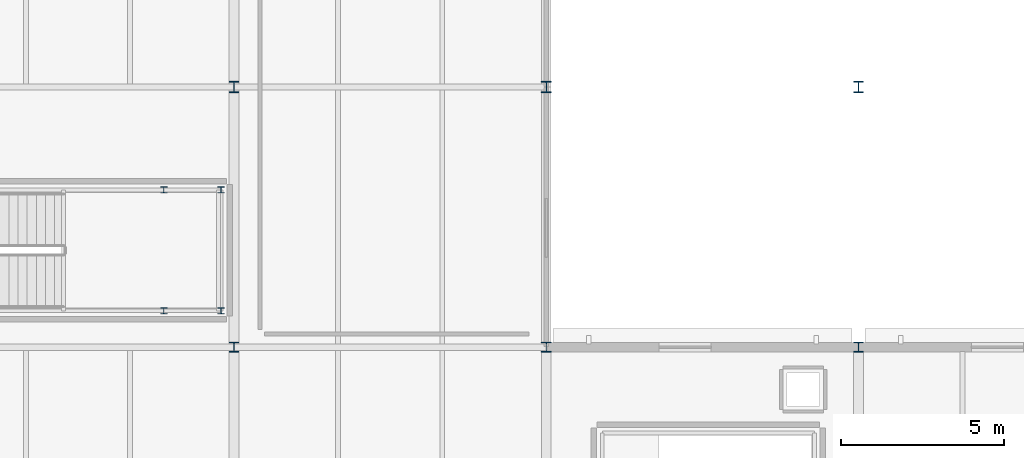
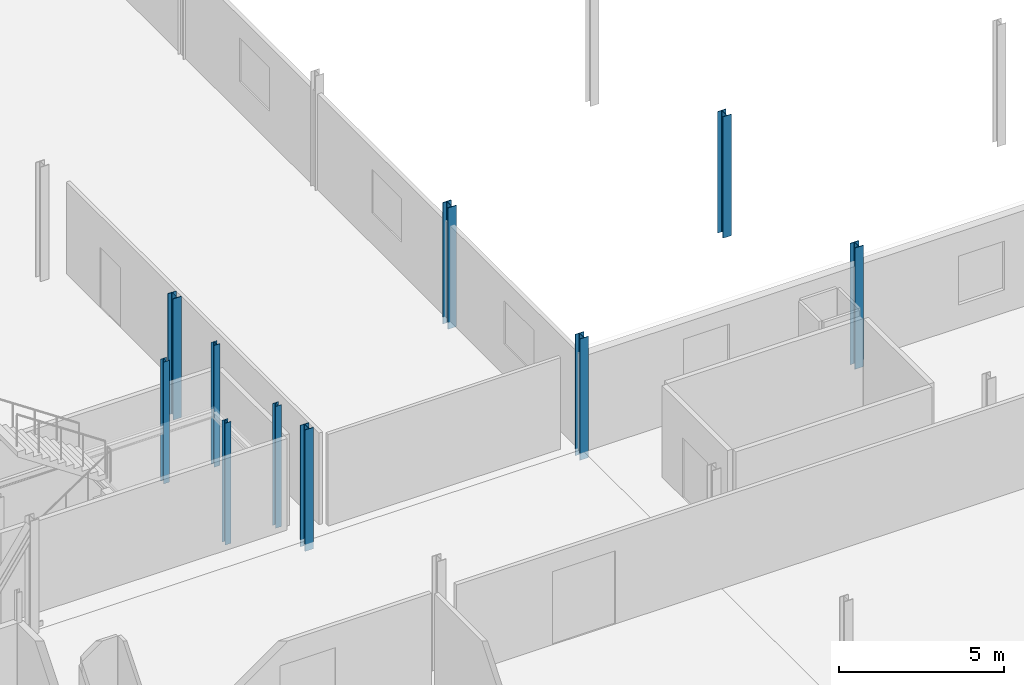
# One storey, part 6 of 73: 10 columns.
"""IFC4 building model written with IfcOpenShell, lengths in metres."""

from ifc_helpers import new_model, si_unit, direction, frame, origin, origin_2d, place, context, subcontext, project, spatial, i_section, extrude, material, material_profile, profile_set, type_object, element, save


model = new_model("IFC4")

# Units and contexts
model_context = context("Model", 3, precision=1e-05, world=origin(), true_north=direction((0.0, 1.0)))
body_context = subcontext(model_context, "Body", "Model", "MODEL_VIEW")
ifc_project = project(units=[si_unit("LENGTHUNIT", "METRE"), si_unit("AREAUNIT", "SQUARE_METRE"), si_unit("VOLUMEUNIT", "CUBIC_METRE"), si_unit("PLANEANGLEUNIT", "RADIAN"), si_unit("MASSUNIT", "GRAM", prefix="KILO")], contexts=[model_context])

# Site, building, storey
site_placement = place(None, origin())
site = spatial("IfcSite", under=ifc_project, at=site_placement, CompositionType="ELEMENT")
building_placement = place(site_placement, origin())
building = spatial("IfcBuilding", under=site, at=building_placement, Name="Alderhovde Museum", CompositionType="ELEMENT")
storey_placement = place(building_placement, frame((0.0, 0.0, 12.89990234375)))
storey = spatial("IfcBuildingStorey", under=building, at=storey_placement, Name="L03", CompositionType="ELEMENT", Elevation=12.89990234375)

# Columns
ifc_material_1 = material(Name="Steel S355J2", Category="steel")
ifc_material_profile_1 = material_profile(ifc_material_1, i_section(OverallWidth=0.199951171875, OverallDepth=0.18994140625, WebThickness=0.006591796875, FlangeThickness=0.010009765625, FilletRadius=0.01806640625, at=origin_2d()), Name="HEA 200")
ifc_profile_set_1 = profile_set([ifc_material_profile_1], Name="Steel S355J2")
column_type_1 = type_object("IfcColumnType", Name="COL-HEA200", PredefinedType="COLUMN", material=ifc_profile_set_1)
for number, where, z_axis, x_axis, name in (
    (1, (38.0, 81.1201171875, 0.0), (0.0, 0.0, 1.0), (1.0, 0.0, 0.0), "L03 Stair ST2 Shaft Column 2"),
    (2, (38.0, 84.840087890625, 0.0), (0.0, 0.0, 1.0), (1.0, 0.0, 0.0), "L03 Stair ST2 Shaft Column 3"),
    (3, (36.239990234375, 81.1201171875, 0.0), (0.0, 0.0, 1.0), (1.0, 0.0, 0.0), "L03 Stair ST2 Shaft Column 5"),
    (4, (36.239990234375, 84.840087890625, 0.0), (0.0, 0.0, 1.0), (1.0, 0.0, 0.0), "L03 Stair ST2 Shaft Column 6"),
):
    element("IfcColumn", number, at=place(storey_placement, frame(where, z_axis=z_axis, x_axis=x_axis)), inside=storey, type_object=column_type_1, Name=name, PredefinedType="COLUMN", context=body_context, shape_type="SweptSolid", body=[
        extrude(i_section(OverallWidth=0.199951171875, OverallDepth=0.18994140625, WebThickness=0.006591796875, FlangeThickness=0.010009765625, FilletRadius=0.01806640625, at=origin_2d()), origin(), (0.0, 0.0, 1.0), 4.5),
    ])
ifc_material_2 = material(Name="Steel S355J2", Category="steel")
ifc_material_profile_2 = material_profile(ifc_material_2, i_section(OverallWidth=0.300048828125, OverallDepth=0.300048828125, WebThickness=0.010986328125, FlangeThickness=0.01904296875, FilletRadius=0.027099609375, at=origin_2d()), Name="HEB 300")
ifc_profile_set_2 = profile_set([ifc_material_profile_2], Name="Steel S355J2")
column_type_2 = type_object("IfcColumnType", Name="COL-HEB300", PredefinedType="COLUMN", material=ifc_profile_set_2)
for number, where, z_axis, x_axis, name in (
    (5, (38.39990234375, 80.0, -0.260009765625), (0.0, 0.0, 1.0), (1.0, 0.0, 0.0), "L03 Column (38.4, 80.0)"),
    (6, (48.0, 80.0, -0.260009765625), (0.0, 0.0, 1.0), (1.0, 0.0, 0.0), "L03 Column (48.0, 80.0)"),
    (7, (57.60009765625, 80.0, -0.260009765625), (0.0, 0.0, 1.0), (1.0, 0.0, 0.0), "L03 Column (57.6, 80.0)"),
):
    element("IfcColumn", number, at=place(storey_placement, frame(where, z_axis=z_axis, x_axis=x_axis)), inside=storey, type_object=column_type_2, Name=name, PredefinedType="COLUMN", context=body_context, shape_type="SweptSolid", body=[
        extrude(i_section(OverallWidth=0.300048828125, OverallDepth=0.300048828125, WebThickness=0.010986328125, FlangeThickness=0.01904296875, FilletRadius=0.027099609375, at=origin_2d()), origin(), (0.0, 0.0, 1.0), 4.480224609375),
    ])
ifc_material_3 = material(Name="Steel S355J2", Category="steel")
ifc_material_profile_3 = material_profile(ifc_material_3, i_section(OverallWidth=0.300048828125, OverallDepth=0.340087890625, WebThickness=0.011962890625, FlangeThickness=0.021484375, FilletRadius=0.027099609375, at=origin_2d()), Name="HEB 340")
ifc_profile_set_3 = profile_set([ifc_material_profile_3], Name="Steel S355J2")
column_type_3 = type_object("IfcColumnType", Name="COL-HEB340", PredefinedType="COLUMN", material=ifc_profile_set_3)
for number, where, z_axis, x_axis, name in (
    (8, (38.39990234375, 88.0, -0.260009765625), (0.0, 0.0, 1.0), (1.0, 0.0, 0.0), "L03 Column (38.4, 88.0)"),
    (9, (48.0, 88.0, -0.260009765625), (0.0, 0.0, 1.0), (1.0, 0.0, 0.0), "L03 Column (48.0, 88.0)"),
    (10, (57.60009765625, 88.0, -0.260009765625), (0.0, 0.0, 1.0), (1.0, 0.0, 0.0), "L03 Column (57.6, 88.0)"),
):
    element("IfcColumn", number, at=place(storey_placement, frame(where, z_axis=z_axis, x_axis=x_axis)), inside=storey, type_object=column_type_3, Name=name, PredefinedType="COLUMN", context=body_context, shape_type="SweptSolid", body=[
        extrude(i_section(OverallWidth=0.300048828125, OverallDepth=0.340087890625, WebThickness=0.011962890625, FlangeThickness=0.021484375, FilletRadius=0.027099609375, at=origin_2d()), origin(), (0.0, 0.0, 1.0), 4.480224609375),
    ])

save(model, "model.ifc")
